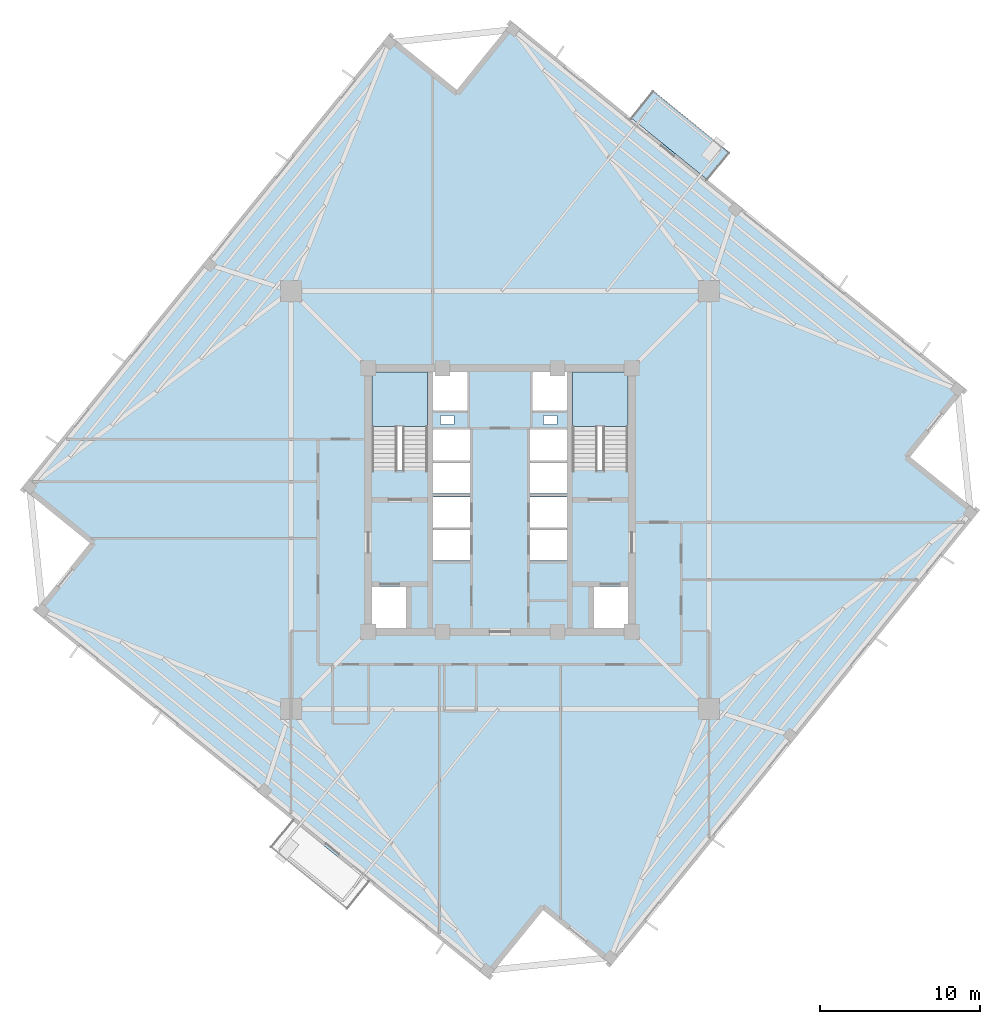
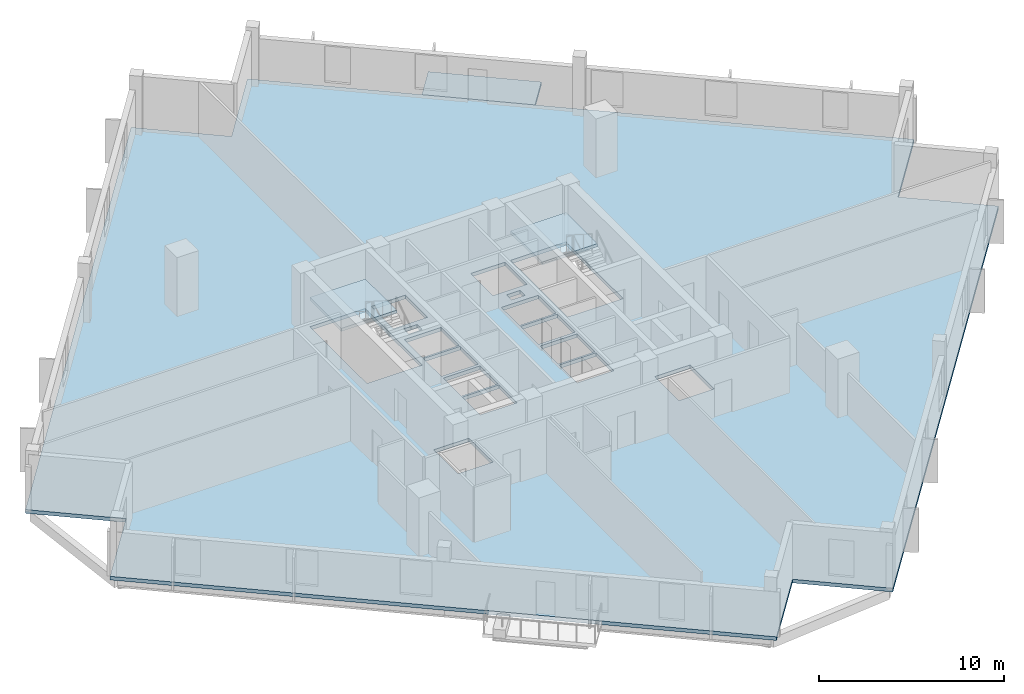
# One storey, part 2 of 10: 4 slabs, 2 elements without a shape of their own.
"""IFC4 building model written with IfcOpenShell, lengths in metres."""

from ifc_helpers import new_model, si_unit, direction, frame, origin, place, context, subcontext, project, spatial, polyline, outline, extrude, material, layer, layer_set, type_object, element, aggregate, save


model = new_model("IFC4")

# Units and contexts
model_context = context("Model", 3, precision=1e-05, world=origin(), true_north=direction((0.0, 1.0)))
body_context = subcontext(model_context, "Body", "Model", "MODEL_VIEW")
ifc_project = project(units=[si_unit("LENGTHUNIT", "METRE"), si_unit("AREAUNIT", "SQUARE_METRE"), si_unit("VOLUMEUNIT", "CUBIC_METRE"), si_unit("PLANEANGLEUNIT", "RADIAN"), si_unit("MASSUNIT", "GRAM", prefix="KILO"), si_unit("THERMODYNAMICTEMPERATUREUNIT", "KELVIN")], contexts=[model_context])

# Site, building, storey
site_placement = place(None, origin())
site = spatial("IfcSite", under=ifc_project, at=site_placement, CompositionType="ELEMENT")
building_placement = place(site_placement, origin())
building = spatial("IfcBuilding", under=site, at=building_placement, Name="Kosmvard Interchange Tower", CompositionType="ELEMENT")
storey_placement = place(building_placement, frame((0.0, 0.0, 217.300048828125)))
storey = spatial("IfcBuildingStorey", under=building, at=storey_placement, Name="L52", CompositionType="ELEMENT", Elevation=217.300048828125)

# Slab
ifc_material = material(Name="Concrete C50/60", Category="concrete")
ifc_layer_1 = layer(ifc_material, 0.239990234375, Name="Concrete C50/60")
ifc_layer_set_1 = layer_set([ifc_layer_1], Name="Concrete C50/60")
slab_type_1 = type_object("IfcSlabType", Name="High-Rise Suite Composite Slab 240 C50/60", PredefinedType="FLOOR", material=ifc_layer_set_1)
slab_1_placement = place(storey_placement, frame((0.0, 0.0, -0.239990234375)))
element("IfcSlab", 1, at=slab_1_placement, inside=storey, type_object=slab_type_1, Name="L52 Structural Floor Slab", PredefinedType="FLOOR", context=body_context, shape_type="SweptSolid", body=[
    extrude(outline(polyline([(6.97216796875, -29.12939453125), (29.9423828125, -0.763427734375), (25.66796875, 2.69775390625), (29.12939453125, 6.97216796875), (0.763427734375, 29.9423828125), (-2.69775390625, 25.66796875), (-6.97216796875, 29.12939453125), (-29.9423828125, 0.763427734375), (-25.66796875, -2.69775390625), (-29.12939453125, -6.97216796875), (-0.763427734375, -29.9423828125), (2.69775390625, -25.66796875), (6.97216796875, -29.12939453125)]), holes=[polyline([(-8.0, 1.8349609375), (-4.5400390625, 1.8349609375), (-4.5400390625, 8.0), (-8.0, 8.0), (-8.0, 1.8349609375)]), polyline([(4.5400390625, 1.8349609375), (8.0, 1.8349609375), (8.0, 8.0), (4.5400390625, 8.0), (4.5400390625, 1.8349609375)]), polyline([(-8.0, -8.0), (-5.800048828125, -8.0), (-5.800048828125, -5.39990234375), (-8.0, -5.39990234375), (-8.0, -8.0)]), polyline([(5.800048828125, -8.0), (8.0, -8.0), (8.0, -5.39990234375), (5.800048828125, -5.39990234375), (5.800048828125, -8.0)]), polyline([(-4.179931640625, -3.800048828125), (-1.8798828125, -3.800048828125), (-1.8798828125, -1.860107421875), (-4.179931640625, -1.860107421875), (-4.179931640625, -3.800048828125)]), polyline([(-4.179931640625, -1.739990234375), (-1.8798828125, -1.739990234375), (-1.8798828125, 0.199951171875), (-4.179931640625, 0.199951171875), (-4.179931640625, -1.739990234375)]), polyline([(1.8798828125, -3.800048828125), (4.179931640625, -3.800048828125), (4.179931640625, -1.860107421875), (1.8798828125, -1.860107421875), (1.8798828125, -3.800048828125)]), polyline([(1.8798828125, -1.739990234375), (4.179931640625, -1.739990234375), (4.179931640625, 0.199951171875), (1.8798828125, 0.199951171875), (1.8798828125, -1.739990234375)]), polyline([(-4.179931640625, 0.39990234375), (-1.8798828125, 0.39990234375), (-1.8798828125, 2.340087890625), (-4.179931640625, 2.340087890625), (-4.179931640625, 0.39990234375)]), polyline([(-4.179931640625, 2.4599609375), (-1.8798828125, 2.4599609375), (-1.8798828125, 4.39990234375), (-4.179931640625, 4.39990234375), (-4.179931640625, 2.4599609375)]), polyline([(1.8798828125, 0.39990234375), (4.179931640625, 0.39990234375), (4.179931640625, 2.340087890625), (1.8798828125, 2.340087890625), (1.8798828125, 0.39990234375)]), polyline([(1.8798828125, 2.4599609375), (4.179931640625, 2.4599609375), (4.179931640625, 4.39990234375), (1.8798828125, 4.39990234375), (1.8798828125, 2.4599609375)]), polyline([(-4.179931640625, 5.60009765625), (-2.0400390625, 5.60009765625), (-2.0400390625, 8.0), (-4.179931640625, 8.0), (-4.179931640625, 5.60009765625)]), polyline([(2.0400390625, 5.60009765625), (4.179931640625, 5.60009765625), (4.179931640625, 8.0), (2.0400390625, 8.0), (2.0400390625, 5.60009765625)]), polyline([(-3.715087890625, 4.739990234375), (-2.864990234375, 4.739990234375), (-2.864990234375, 5.2900390625), (-3.715087890625, 5.2900390625), (-3.715087890625, 4.739990234375)]), polyline([(2.715087890625, 4.739990234375), (3.56494140625, 4.739990234375), (3.56494140625, 5.2900390625), (2.715087890625, 5.2900390625), (2.715087890625, 4.739990234375)])]), origin(), (0.0, 0.0, 1.0), 0.239990234375),
])

# Stair, slab
stair_type = type_object("IfcStairType", Name="Dog-Leg Core Exit Stair H3900 C50/60", PredefinedType="HALF_TURN_STAIR", material=ifc_material)
stair_1_placement = place(storey_placement, origin())
stair_1 = element("IfcStair", 2, at=stair_1_placement, inside=storey, type_object=stair_type, Name="L52 Protected Exit Stair ST-1", PredefinedType="HALF_TURN_STAIR")
ifc_layer_2 = layer(ifc_material, 0.199951171875, Name="Concrete C50/60")
ifc_layer_set_2 = layer_set([ifc_layer_2], Name="Concrete C50/60")
slab_type_2 = type_object("IfcSlabType", Name="Stair Half-Landing Slab 200 C50/60", PredefinedType="LANDING", material=ifc_layer_set_2)
slab_2_placement = place(storey_placement, frame((0.0, 0.0, 1.75)))
slab_2 = element("IfcSlab", 3, at=slab_2_placement, type_object=slab_type_2, Name="ST-1 landing 1", PredefinedType="LANDING", context=body_context, shape_type="SweptSolid", body=[
    extrude(outline(polyline([(-4.5400390625, 4.60009765625), (-4.5400390625, 8.0), (-8.0, 8.0), (-8.0, 4.60009765625), (-4.5400390625, 4.60009765625)])), origin(), (0.0, 0.0, 1.0), 0.199951171875),
])
aggregate(stair_1, [slab_2])

stair_2_placement = place(storey_placement, origin())
stair_2 = element("IfcStair", 4, at=stair_2_placement, inside=storey, type_object=stair_type, Name="L52 Protected Exit Stair ST-2", PredefinedType="HALF_TURN_STAIR")
slab_3_placement = place(storey_placement, frame((0.0, 0.0, 1.75)))
slab_3 = element("IfcSlab", 5, at=slab_3_placement, type_object=slab_type_2, Name="ST-2 landing 1", PredefinedType="LANDING", context=body_context, shape_type="SweptSolid", body=[
    extrude(outline(polyline([(8.0, 4.60009765625), (8.0, 8.0), (4.5400390625, 8.0), (4.5400390625, 4.60009765625), (8.0, 4.60009765625)])), origin(), (0.0, 0.0, 1.0), 0.199951171875),
])
aggregate(stair_2, [slab_3])

# Slab
ifc_layer_3 = layer(ifc_material, 0.22998046875, Name="Concrete C50/60")
ifc_layer_set_3 = layer_set([ifc_layer_3], Name="Concrete C50/60")
slab_type_3 = type_object("IfcSlabType", Name="Tree-Planter Cantilever Balcony Slab 230 C50/60", PredefinedType="FLOOR", material=ifc_layer_set_3)
slab_4_placement = place(storey_placement, frame((0.0, 0.0, -0.22998046875)))
element("IfcSlab", 6, at=slab_4_placement, inside=storey, type_object=slab_type_3, Name="L52 Outdoor Terrace Balcony Slab BAL-L52-E", PredefinedType="FLOOR", context=body_context, shape_type="SweptSolid", body=[
    extrude(outline(polyline([(13.00341796875, 20.030517578125), (14.387939453125, 21.740234375), (9.569580078125, 25.64208984375), (8.185302734375, 23.932373046875), (13.00341796875, 20.030517578125)])), origin(), (0.0, 0.0, 1.0), 0.22998046875),
])

save(model, "model.ifc")
